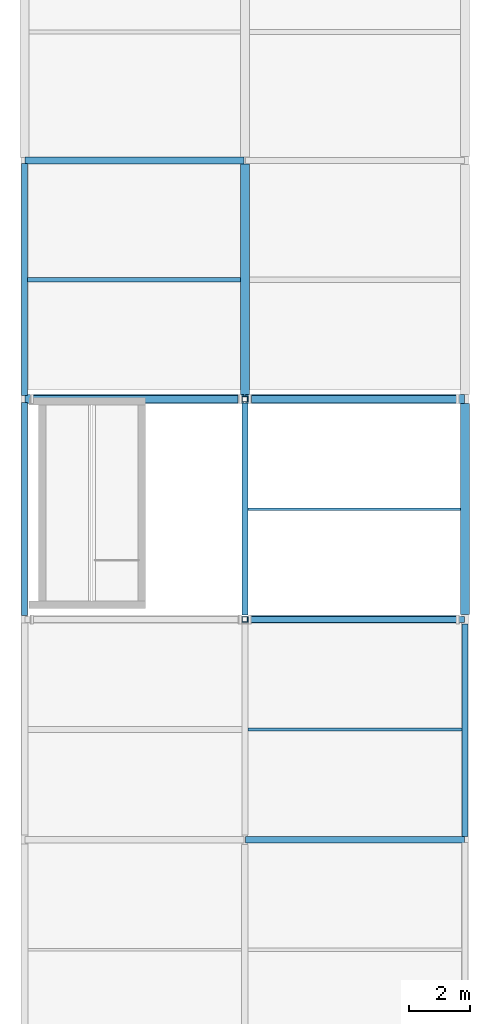
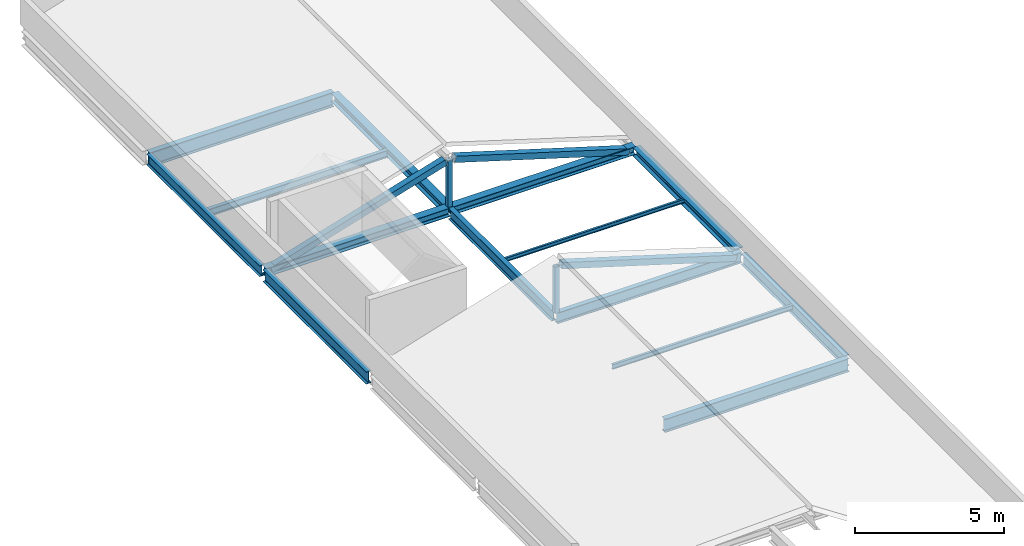
# One storey, part 3 of 9: 14 beams, 5 members.
"""IFC4 building model written with IfcOpenShell, lengths in metres."""

from ifc_helpers import new_model, si_unit, direction, frame, origin, origin_2d, place, context, subcontext, project, spatial, hollow_rectangle, i_section, extrude, material, material_profile, profile_set, type_object, element, save


model = new_model("IFC4")

# Units and contexts
model_context = context("Model", 3, precision=1e-05, world=origin(), true_north=direction((0.0, 1.0)))
body_context = subcontext(model_context, "Body", "Model", "MODEL_VIEW")
ifc_project = project(units=[si_unit("LENGTHUNIT", "METRE"), si_unit("AREAUNIT", "SQUARE_METRE"), si_unit("VOLUMEUNIT", "CUBIC_METRE"), si_unit("PLANEANGLEUNIT", "RADIAN"), si_unit("MASSUNIT", "GRAM", prefix="KILO")], contexts=[model_context])

# Site, building, storey
site_placement = place(None, origin())
site = spatial("IfcSite", under=ifc_project, at=site_placement, CompositionType="ELEMENT")
building_placement = place(site_placement, origin())
building = spatial("IfcBuilding", under=site, at=building_placement, Name="Vinh Khe Railworks Police Headquarters", CompositionType="ELEMENT")
storey_placement = place(building_placement, frame((0.0, 0.0, 36.60009765625)))
storey = spatial("IfcBuildingStorey", under=building, at=storey_placement, Name="RF", CompositionType="ELEMENT", Elevation=36.60009765625)

# Members
ifc_material = material(Name="Steel S355JR", Category="steel")
ifc_material_profile_1 = material_profile(ifc_material, hollow_rectangle(XDim=0.179931640625, YDim=0.179931640625, WallThickness=0.010009765625, at=origin_2d()), Name="SHS 180x180x10")
ifc_profile_set_1 = profile_set([ifc_material_profile_1], Name="Steel S355JR")
member_type_1 = type_object("IfcMemberType", Name="Roof Strut SHS 180x180x10", PredefinedType="STRUT", material=ifc_profile_set_1)
for number, where, z_axis, x_axis, name in (
    (1, (7.800048828125, 81.0, -0.18017578125), (0.0, 0.0, 1.0), (1.0, 0.0, 0.0), "Heritage Roof King Strut 2"),
    (2, (7.800048828125, 88.199951171875, -0.18017578125), (0.0, 0.0, 1.0), (1.0, 0.0, 0.0), "Heritage Roof King Strut 3"),
):
    element("IfcMember", number, at=place(storey_placement, frame(where, z_axis=z_axis, x_axis=x_axis)), inside=storey, type_object=member_type_1, Name=name, PredefinedType="STRUT", context=body_context, shape_type="SweptSolid", body=[
        extrude(hollow_rectangle(XDim=0.179931640625, YDim=0.179931640625, WallThickness=0.010009765625, at=origin_2d()), origin(), (0.0, 0.0, 1.0), 1.900146484375),
    ])

# Beams
ifc_material_profile_2 = material_profile(ifc_material, i_section(OverallWidth=0.08203125, OverallDepth=0.159912109375, WebThickness=0.0048828125, FlangeThickness=0.00732421875, FilletRadius=0.009033203125, at=origin_2d()), Name="IPE 160")
ifc_profile_set_2 = profile_set([ifc_material_profile_2], Name="Steel S355JR")
beam_type_1 = type_object("IfcBeamType", Name="Secondary Joist IPE 160", PredefinedType="JOIST", material=ifc_profile_set_2)
beam_1_placement = place(storey_placement, frame((7.89501953125, 84.60009765625, -0.260009765625), z_axis=(1.0, 0.0, 0.0), x_axis=(0.0, 1.0, 0.0)))
element("IfcBeam", 3, at=beam_1_placement, inside=storey, type_object=beam_type_1, Name="Secondary Joist JST-RF-SJ-08-0097", PredefinedType="JOIST", context=body_context, shape_type="SweptSolid", body=[
    extrude(i_section(OverallWidth=0.08203125, OverallDepth=0.159912109375, WebThickness=0.0048828125, FlangeThickness=0.00732421875, FilletRadius=0.009033203125, at=origin_2d()), origin(), (0.0, 0.0, 1.0), 6.955078125),
])
ifc_material_profile_3 = material_profile(ifc_material, i_section(OverallWidth=0.10009765625, OverallDepth=0.199951171875, WebThickness=0.005615234375, FlangeThickness=0.008544921875, FilletRadius=0.011962890625, at=origin_2d()), Name="IPE 200")
ifc_profile_set_3 = profile_set([ifc_material_profile_3], Name="Steel S355JR")
beam_type_2 = type_object("IfcBeamType", Name="Secondary Joist IPE 200", PredefinedType="JOIST", material=ifc_profile_set_3)
beam_2_placement = place(storey_placement, frame((7.89990234375, 77.39990234375, -0.280029296875), z_axis=(1.0, 0.0, 0.0), x_axis=(0.0, 1.0, 0.0)))
element("IfcBeam", 4, at=beam_2_placement, inside=storey, type_object=beam_type_2, Name="Secondary Joist JST-RF-SJ-06-0096", PredefinedType="JOIST", context=body_context, shape_type="SweptSolid", body=[
    extrude(i_section(OverallWidth=0.10009765625, OverallDepth=0.199951171875, WebThickness=0.005615234375, FlangeThickness=0.008544921875, FilletRadius=0.011962890625, at=origin_2d()), origin(), (0.0, 0.0, 1.0), 7.005126953125),
])
ifc_material_profile_4 = material_profile(ifc_material, i_section(OverallWidth=0.14990234375, OverallDepth=0.300048828125, WebThickness=0.007080078125, FlangeThickness=0.0107421875, FilletRadius=0.014892578125, at=origin_2d()), Name="IPE 300")
ifc_profile_set_4 = profile_set([ifc_material_profile_4], Name="Steel S355JR")
beam_type_3 = type_object("IfcBeamType", Name="Secondary Joist IPE 300", PredefinedType="JOIST", material=ifc_profile_set_4)
beam_3_placement = place(storey_placement, frame((0.695068359375, 92.10009765625, -0.330078125), z_axis=(1.0, 0.0, 0.0), x_axis=(0.0, 1.0, 0.0)))
element("IfcBeam", 5, at=beam_3_placement, inside=storey, type_object=beam_type_3, Name="Secondary Joist JST-RF-SJ-02-0091", PredefinedType="JOIST", context=body_context, shape_type="SweptSolid", body=[
    extrude(i_section(OverallWidth=0.14990234375, OverallDepth=0.300048828125, WebThickness=0.007080078125, FlangeThickness=0.0107421875, FilletRadius=0.014892578125, at=origin_2d()), origin(), (0.0, 0.0, 1.0), 6.954833984375),
])
ifc_material_profile_5 = material_profile(ifc_material, i_section(OverallWidth=0.300048828125, OverallDepth=0.330078125, WebThickness=0.009521484375, FlangeThickness=0.0166015625, FilletRadius=0.027099609375, at=origin_2d()), Name="HEA 340")
ifc_profile_set_5 = profile_set([ifc_material_profile_5], Name="Steel S355JR")
beam_type_4 = type_object("IfcBeamType", Name="Steel Girder HEA 340", PredefinedType="BEAM", material=ifc_profile_set_5)
beam_4_placement = place(storey_placement, frame((7.820068359375, 88.199951171875, -0.34521484375), z_axis=(1.0, 0.0, 0.0), x_axis=(0.0, 1.0, 0.0)))
element("IfcBeam", 6, at=beam_4_placement, inside=storey, type_object=beam_type_4, Name="Girder BM-RF-EW-SB-16-2048", PredefinedType="BEAM", context=body_context, shape_type="SweptSolid", body=[
    extrude(i_section(OverallWidth=0.300048828125, OverallDepth=0.330078125, WebThickness=0.009521484375, FlangeThickness=0.0166015625, FilletRadius=0.027099609375, at=origin_2d()), origin(), (0.0, 0.0, 1.0), 7.159912109375),
])
ifc_material_profile_6 = material_profile(ifc_material, i_section(OverallWidth=0.300048828125, OverallDepth=0.35009765625, WebThickness=0.010009765625, FlangeThickness=0.017578125, FilletRadius=0.027099609375, at=origin_2d()), Name="HEA 360")
ifc_profile_set_6 = profile_set([ifc_material_profile_6], Name="Steel S355JR")
beam_type_5 = type_object("IfcBeamType", Name="Steel Girder HEA 360", PredefinedType="BEAM", material=ifc_profile_set_6)
beam_5_placement = place(storey_placement, frame((0.6201171875, 88.199951171875, -0.35498046875), z_axis=(1.0, 0.0, 0.0), x_axis=(0.0, 1.0, 0.0)))
element("IfcBeam", 7, at=beam_5_placement, inside=storey, type_object=beam_type_5, Name="Girder BM-RF-EW-SB-15-2047", PredefinedType="BEAM", context=body_context, shape_type="SweptSolid", body=[
    extrude(i_section(OverallWidth=0.300048828125, OverallDepth=0.35009765625, WebThickness=0.010009765625, FlangeThickness=0.017578125, FilletRadius=0.027099609375, at=origin_2d()), origin(), (0.0, 0.0, 1.0), 7.159912109375),
])
beam_6_placement = place(storey_placement, frame((7.800048828125, 88.324951171875, -0.35498046875), z_axis=(0.0, 1.0, 0.0), x_axis=(-1.0, 0.0, 0.0)))
element("IfcBeam", 8, at=beam_6_placement, inside=storey, type_object=beam_type_5, Name="Girder BM-RF-NS-SB-15-2077", PredefinedType="BEAM", context=body_context, shape_type="SweptSolid", body=[
    extrude(i_section(OverallWidth=0.300048828125, OverallDepth=0.35009765625, WebThickness=0.010009765625, FlangeThickness=0.017578125, FilletRadius=0.027099609375, at=origin_2d()), origin(), (0.0, 0.0, 1.0), 7.56005859375),
])
beam_7_placement = place(storey_placement, frame((15.0, 81.155029296875, -0.35498046875), z_axis=(0.0, 1.0, 0.0), x_axis=(-1.0, 0.0, 0.0)))
element("IfcBeam", 9, at=beam_7_placement, inside=storey, type_object=beam_type_5, Name="Girder BM-RF-NS-SB-15-2089", PredefinedType="BEAM", context=body_context, shape_type="SweptSolid", body=[
    extrude(i_section(OverallWidth=0.300048828125, OverallDepth=0.35009765625, WebThickness=0.010009765625, FlangeThickness=0.017578125, FilletRadius=0.027099609375, at=origin_2d()), origin(), (0.0, 0.0, 1.0), 6.89990234375),
])
ifc_material_profile_7 = material_profile(ifc_material, i_section(OverallWidth=0.18994140625, OverallDepth=0.449951171875, WebThickness=0.009521484375, FlangeThickness=0.0146484375, FilletRadius=0.02099609375, at=origin_2d()), Name="IPE 450")
ifc_profile_set_7 = profile_set([ifc_material_profile_7], Name="Steel S355JR")
beam_type_6 = type_object("IfcBeamType", Name="Steel Girder IPE 450", PredefinedType="BEAM", material=ifc_profile_set_7)
beam_8_placement = place(storey_placement, frame((7.820068359375, 81.0, -0.405029296875), z_axis=(1.0, 0.0, 0.0), x_axis=(0.0, 1.0, 0.0)))
element("IfcBeam", 10, at=beam_8_placement, inside=storey, type_object=beam_type_6, Name="Girder BM-RF-EW-SB-20-2046", PredefinedType="BEAM", context=body_context, shape_type="SweptSolid", body=[
    extrude(i_section(OverallWidth=0.18994140625, OverallDepth=0.449951171875, WebThickness=0.009521484375, FlangeThickness=0.0146484375, FilletRadius=0.02099609375, at=origin_2d()), origin(), (0.0, 0.0, 1.0), 7.159912109375),
])
beam_9_placement = place(storey_placement, frame((0.60009765625, 88.31494140625, -0.405029296875), z_axis=(0.0, 1.0, 0.0), x_axis=(-1.0, 0.0, 0.0)))
element("IfcBeam", 11, at=beam_9_placement, inside=storey, type_object=beam_type_6, Name="Girder BM-RF-NS-SB-20-2064", PredefinedType="BEAM", context=body_context, shape_type="SweptSolid", body=[
    extrude(i_section(OverallWidth=0.18994140625, OverallDepth=0.449951171875, WebThickness=0.009521484375, FlangeThickness=0.0146484375, FilletRadius=0.02099609375, at=origin_2d()), origin(), (0.0, 0.0, 1.0), 7.590087890625),
])
beam_10_placement = place(storey_placement, frame((7.800048828125, 81.14501953125, -0.405029296875), z_axis=(0.0, 1.0, 0.0), x_axis=(-1.0, 0.0, 0.0)))
element("IfcBeam", 12, at=beam_10_placement, inside=storey, type_object=beam_type_6, Name="Girder BM-RF-NS-SB-20-2076", PredefinedType="BEAM", context=body_context, shape_type="SweptSolid", body=[
    extrude(i_section(OverallWidth=0.18994140625, OverallDepth=0.449951171875, WebThickness=0.009521484375, FlangeThickness=0.0146484375, FilletRadius=0.02099609375, at=origin_2d()), origin(), (0.0, 0.0, 1.0), 6.929931640625),
])
beam_11_placement = place(storey_placement, frame((15.0, 73.89501953125, -0.405029296875), z_axis=(0.0, 1.0, 0.0), x_axis=(-1.0, 0.0, 0.0)))
element("IfcBeam", 13, at=beam_11_placement, inside=storey, type_object=beam_type_6, Name="Girder BM-RF-NS-SB-20-2088", PredefinedType="BEAM", context=body_context, shape_type="SweptSolid", body=[
    extrude(i_section(OverallWidth=0.18994140625, OverallDepth=0.449951171875, WebThickness=0.009521484375, FlangeThickness=0.0146484375, FilletRadius=0.02099609375, at=origin_2d()), origin(), (0.0, 0.0, 1.0), 6.949951171875),
])
ifc_material_profile_8 = material_profile(ifc_material, i_section(OverallWidth=0.199951171875, OverallDepth=0.5, WebThickness=0.01025390625, FlangeThickness=0.01611328125, FilletRadius=0.02099609375, at=origin_2d()), Name="IPE 500")
ifc_profile_set_8 = profile_set([ifc_material_profile_8], Name="Steel S355JR")
beam_type_7 = type_object("IfcBeamType", Name="Steel Girder IPE 500", PredefinedType="BEAM", material=ifc_profile_set_8)
beam_12_placement = place(storey_placement, frame((0.60009765625, 81.125, -0.43017578125), z_axis=(0.0, 1.0, 0.0), x_axis=(-1.0, 0.0, 0.0)))
element("IfcBeam", 14, at=beam_12_placement, inside=storey, type_object=beam_type_7, Name="Girder BM-RF-NS-SB-19-2063", PredefinedType="BEAM", context=body_context, shape_type="SweptSolid", body=[
    extrude(i_section(OverallWidth=0.199951171875, OverallDepth=0.5, WebThickness=0.01025390625, FlangeThickness=0.01611328125, FilletRadius=0.02099609375, at=origin_2d()), origin(), (0.0, 0.0, 1.0), 6.9599609375),
])
ifc_material_profile_9 = material_profile(ifc_material, i_section(OverallWidth=0.2099609375, OverallDepth=0.550048828125, WebThickness=0.010986328125, FlangeThickness=0.01708984375, FilletRadius=0.02392578125, at=origin_2d()), Name="IPE 550")
ifc_profile_set_9 = profile_set([ifc_material_profile_9], Name="Steel S355JR")
beam_type_8 = type_object("IfcBeamType", Name="Steel Girder IPE 550", PredefinedType="BEAM", material=ifc_profile_set_9)
beam_13_placement = place(storey_placement, frame((7.820068359375, 73.800048828125, -0.455078125), z_axis=(1.0, 0.0, 0.0), x_axis=(0.0, 1.0, 0.0)))
element("IfcBeam", 15, at=beam_13_placement, inside=storey, type_object=beam_type_8, Name="Girder BM-RF-EW-SB-18-2044", PredefinedType="BEAM", context=body_context, shape_type="SweptSolid", body=[
    extrude(i_section(OverallWidth=0.2099609375, OverallDepth=0.550048828125, WebThickness=0.010986328125, FlangeThickness=0.01708984375, FilletRadius=0.02392578125, at=origin_2d()), origin(), (0.0, 0.0, 1.0), 7.159912109375),
])
ifc_material_profile_10 = material_profile(ifc_material, i_section(OverallWidth=0.219970703125, OverallDepth=0.60009765625, WebThickness=0.011962890625, FlangeThickness=0.01904296875, FilletRadius=0.02392578125, at=origin_2d()), Name="IPE 600")
ifc_profile_set_10 = profile_set([ifc_material_profile_10], Name="Steel S355JR")
beam_type_9 = type_object("IfcBeamType", Name="Steel Girder IPE 600", PredefinedType="BEAM", material=ifc_profile_set_10)
beam_14_placement = place(storey_placement, frame((0.6201171875, 96.0, -0.47998046875), z_axis=(1.0, 0.0, 0.0), x_axis=(0.0, 1.0, 0.0)))
element("IfcBeam", 16, at=beam_14_placement, inside=storey, type_object=beam_type_9, Name="Girder BM-RF-EW-SB-17-2049", PredefinedType="BEAM", context=body_context, shape_type="SweptSolid", body=[
    extrude(i_section(OverallWidth=0.219970703125, OverallDepth=0.60009765625, WebThickness=0.011962890625, FlangeThickness=0.01904296875, FilletRadius=0.02392578125, at=origin_2d()), origin(), (0.0, 0.0, 1.0), 7.159912109375),
])

# Members
ifc_material_profile_11 = material_profile(ifc_material, hollow_rectangle(XDim=0.25, YDim=0.25, WallThickness=0.012451171875, at=origin_2d()), Name="SHS 250x250x12.5")
ifc_profile_set_11 = profile_set([ifc_material_profile_11], Name="Steel S355JR")
member_type_2 = type_object("IfcMemberType", Name="Truss Chord SHS 250x250x12.5", PredefinedType="CHORD", material=ifc_profile_set_11)
for number, where, z_axis, x_axis, name in (
    (17, (14.75, 81.0, -0.340087890625), (-0.956688920736, 0.0, 0.291112193046), (0.0, -1.0, 0.0), "Heritage Gable Truss Chord 2E"),
    (18, (0.85009765625, 88.199951171875, -0.340087890625), (0.956688920736, 0.0, 0.291112193046), (0.0, 1.0, 0.0), "Heritage Gable Truss Chord 3W"),
    (19, (14.75, 88.199951171875, -0.340087890625), (-0.956688920736, 0.0, 0.291112193046), (0.0, -1.0, 0.0), "Heritage Gable Truss Chord 3E"),
):
    element("IfcMember", number, at=place(storey_placement, frame(where, z_axis=z_axis, x_axis=x_axis)), inside=storey, type_object=member_type_2, Name=name, PredefinedType="CHORD", context=body_context, shape_type="SweptSolid", body=[
        extrude(hollow_rectangle(XDim=0.25, YDim=0.25, WallThickness=0.012451171875, at=origin_2d()), origin(), (0.0, 0.0, 1.0), 7.076416015625),
    ])

save(model, "model.ifc")
